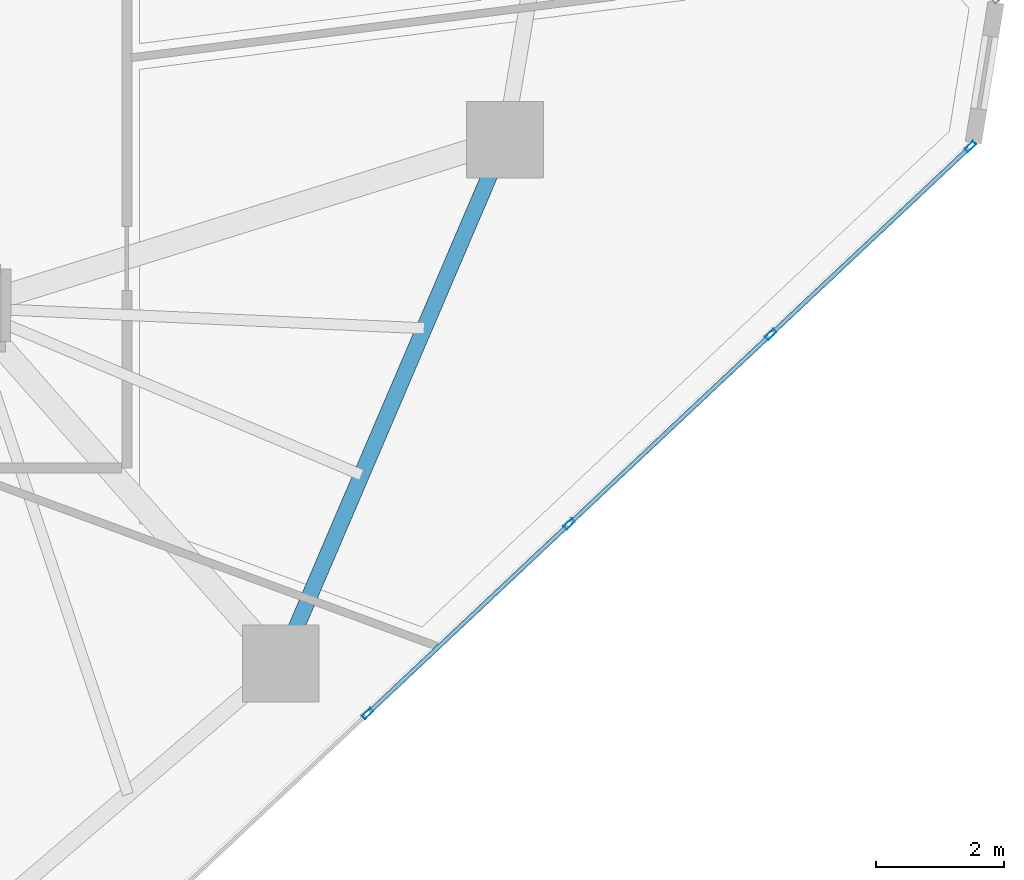
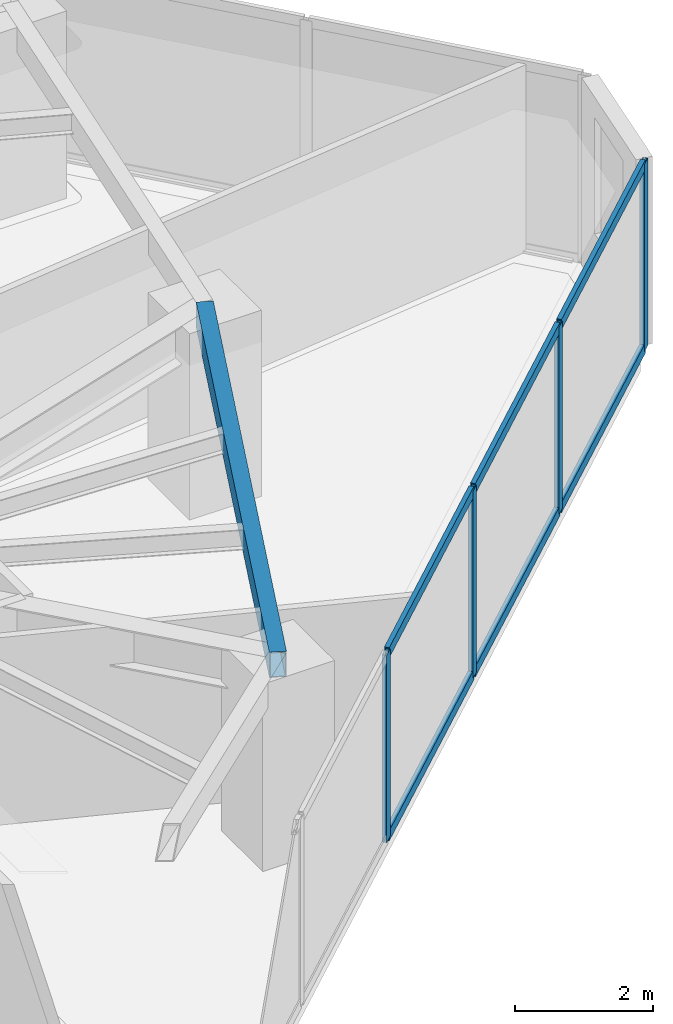
# One storey, part 13 of 22: 10 members, 1 beam, 1 element without a shape of its own.
"""IFC4 building model written with IfcOpenShell, lengths in metres."""

from ifc_helpers import new_model, si_unit, direction, frame, origin, origin_2d, place, context, subcontext, project, spatial, hollow_rectangle, extrude, source, transform, mapped, material, layer, layer_set, material_profile, profile_set, type_object, type_shapes, element, aggregate, save


model = new_model("IFC4")

# Units and contexts
model_context = context("Model", 3, precision=1e-05, world=origin(), true_north=direction((0.0, 1.0)))
body_context = subcontext(model_context, "Body", "Model", "MODEL_VIEW")
ifc_project = project(units=[si_unit("LENGTHUNIT", "METRE"), si_unit("AREAUNIT", "SQUARE_METRE"), si_unit("VOLUMEUNIT", "CUBIC_METRE"), si_unit("PLANEANGLEUNIT", "RADIAN"), si_unit("MASSUNIT", "GRAM", prefix="KILO")], contexts=[model_context])

# Site, building, storey
site_placement = place(None, origin())
site = spatial("IfcSite", under=ifc_project, at=site_placement, CompositionType="ELEMENT")
building_placement = place(site_placement, origin())
building = spatial("IfcBuilding", under=site, at=building_placement, Name="Talar Marvaseh", CompositionType="ELEMENT")
storey_placement = place(building_placement, frame((0.0, 0.0, 89.39990234375)))
storey = spatial("IfcBuildingStorey", under=building, at=storey_placement, Name="L22", CompositionType="ELEMENT", Elevation=89.39990234375)

# Beam
ifc_material_1 = material(Name="Steel S355", Category="steel")
ifc_material_profile_1 = material_profile(ifc_material_1, hollow_rectangle(XDim=0.25, YDim=0.449951171875, WallThickness=0.01611328125, at=origin_2d()), Name="RHS450x250x16")
ifc_profile_set_1 = profile_set([ifc_material_profile_1], Name="Steel S355")
beam_type = type_object("IfcBeamType", Name="Zone 2 Perimeter Spandrel Beam RHS450x250x16", PredefinedType="SPANDREL", material=ifc_profile_set_1)
beam_placement = place(storey_placement, frame((41.708984375, 28.1279296875, 3.085205078125), z_axis=(-0.393369955619, -0.919380268451, 0.0), x_axis=(0.919380268451, -0.393369955619, 0.0)))
element("IfcBeam", 1, at=beam_placement, inside=storey, type_object=beam_type, Name="L22 Zone 2 Perimeter Spandrel Beam RHS450x250x16", PredefinedType="SPANDREL", context=body_context, shape_type="SweptSolid", body=[
    extrude(hollow_rectangle(XDim=0.25, YDim=0.449951171875, WallThickness=0.01611328125, at=origin_2d()), origin(), (0.0, 0.0, 1.0), 8.905029296875),
])

# Curtain wall, members
ifc_material_2 = material(Name="Architectural Aluminium", Category="aluminium")
ifc_layer = layer(ifc_material_2, 0.199951171875)
ifc_layer_set = layer_set([ifc_layer], Name="Architectural Aluminium")
curtain_wall_type = type_object("IfcCurtainWallType", Name="Unitised Acoustic Library Curtain Wall Z2", PredefinedType="NOTDEFINED", material=ifc_layer_set)
curtain_wall_placement = place(storey_placement, origin())
curtain_wall = element("IfcCurtainWall", 2, at=curtain_wall_placement, inside=storey, type_object=curtain_wall_type, Name="L22 Unitised Acoustic Library Curtain Wall Z2", PredefinedType="NOTDEFINED")
ifc_material_profile_2 = material_profile(ifc_material_2, hollow_rectangle(XDim=0.074951171875, YDim=0.179931640625, WallThickness=0.0048828125, at=origin_2d()), Name="RHS180x75x5")
ifc_profile_set_2 = profile_set([ifc_material_profile_2], Name="Architectural Aluminium")
member_type_1 = type_object("IfcMemberType", Name="Unitised Curtain Wall Standard Mullion RHS180x75x5", PredefinedType="MULLION", material=ifc_profile_set_2)
shared_shape_1 = source(origin(), body_context, "Body", "SweptSolid", [
    extrude(hollow_rectangle(XDim=0.074951171875, YDim=0.179931640625, WallThickness=0.0048828125, at=origin_2d()), origin(), (0.0, 0.0, 1.0), 3.31005859375),
])
type_shapes(member_type_1, [shared_shape_1])
member_1_placement = place(storey_placement, frame((48.984130859375, 28.0205078125, 0.0), z_axis=(0.0, 0.0, 1.0), x_axis=(0.685069131718, -0.728478060594, 0.0)))
member_1 = element("IfcMember", 3, at=member_1_placement, type_object=member_type_1, Name="CW-Z2 mullion 1", PredefinedType="MULLION", context=body_context, shape_type="MappedRepresentation", body=[
    mapped(shared_shape_1, transform((0.0, 0.0, 0.0), x_axis=(1.0, 0.0, 0.0), y_axis=(0.0, 1.0, 0.0), z_axis=(0.0, 0.0, 1.0), scale=1.0)),
])
member_2_placement = place(storey_placement, frame((45.86181640625, 25.084228515625, 0.0), z_axis=(0.0, 0.0, 1.0), x_axis=(0.685069131718, -0.728478060594, 0.0)))
member_2 = element("IfcMember", 4, at=member_2_placement, type_object=member_type_1, Name="CW-Z2 mullion 2", PredefinedType="MULLION", context=body_context, shape_type="MappedRepresentation", body=[
    mapped(shared_shape_1, transform((0.0, 0.0, 0.0), x_axis=(1.0, 0.0, 0.0), y_axis=(0.0, 1.0, 0.0), z_axis=(0.0, 0.0, 1.0), scale=1.0)),
])
member_3_placement = place(storey_placement, frame((42.71240234375, 22.122314453125, 0.0), z_axis=(0.0, 0.0, 1.0), x_axis=(0.685069131718, -0.728478060594, 0.0)))
member_3 = element("IfcMember", 5, at=member_3_placement, type_object=member_type_1, Name="CW-Z2 mullion 3", PredefinedType="MULLION", context=body_context, shape_type="MappedRepresentation", body=[
    mapped(shared_shape_1, transform((0.0, 0.0, 0.0), x_axis=(1.0, 0.0, 0.0), y_axis=(0.0, 1.0, 0.0), z_axis=(0.0, 0.0, 1.0), scale=1.0)),
])
member_4_placement = place(storey_placement, frame((39.562744140625, 19.160400390625, 0.0), z_axis=(0.0, 0.0, 1.0), x_axis=(0.685069131718, -0.728478060594, 0.0)))
member_4 = element("IfcMember", 6, at=member_4_placement, type_object=member_type_1, Name="CW-Z2 mullion 4", PredefinedType="MULLION", context=body_context, shape_type="MappedRepresentation", body=[
    mapped(shared_shape_1, transform((0.0, 0.0, 0.0), x_axis=(1.0, 0.0, 0.0), y_axis=(0.0, 1.0, 0.0), z_axis=(0.0, 0.0, 1.0), scale=1.0)),
])
ifc_material_profile_3 = material_profile(ifc_material_2, hollow_rectangle(XDim=0.074951171875, YDim=0.179931640625, WallThickness=0.0048828125, at=origin_2d()), Name="RHS180x75x5")
ifc_profile_set_3 = profile_set([ifc_material_profile_3], Name="Architectural Aluminium")
member_type_2 = type_object("IfcMemberType", Name="Unitised Curtain Wall Transom RHS180x75x5", PredefinedType="USERDEFINED", material=ifc_profile_set_3)
shared_shape_2 = source(origin(), body_context, "Body", "SweptSolid", [
    extrude(hollow_rectangle(XDim=0.074951171875, YDim=0.179931640625, WallThickness=0.0048828125, at=origin_2d()), origin(), (0.0, 0.0, 1.0), 4.211181640625),
])
member_5_placement = place(storey_placement, frame((48.956787109375, 27.994873046875, 0.03759765625), z_axis=(-0.728456946643, -0.685091582847, 0.0), x_axis=(0.685091582847, -0.728456946643, 0.0)))
member_5 = element("IfcMember", 7, at=member_5_placement, type_object=member_type_2, Name="CW-Z2 transom 1.1", ObjectType="TRANSOM", PredefinedType="USERDEFINED", context=body_context, shape_type="MappedRepresentation", body=[
    mapped(shared_shape_2, transform((0.0, 0.0, 0.0), x_axis=(1.0, 0.0, 0.0), y_axis=(0.0, 1.0, 0.0), z_axis=(0.0, 0.0, 1.0), scale=1.0)),
])
member_6_placement = place(storey_placement, frame((48.956787109375, 27.994873046875, 3.272705078125), z_axis=(-0.728456946643, -0.685091582847, 0.0), x_axis=(0.685091582847, -0.728456946643, 0.0)))
member_6 = element("IfcMember", 8, at=member_6_placement, type_object=member_type_2, Name="CW-Z2 transom 1.2", ObjectType="TRANSOM", PredefinedType="USERDEFINED", context=body_context, shape_type="MappedRepresentation", body=[
    mapped(shared_shape_2, transform((0.0, 0.0, 0.0), x_axis=(1.0, 0.0, 0.0), y_axis=(0.0, 1.0, 0.0), z_axis=(0.0, 0.0, 1.0), scale=1.0)),
])
shared_shape_3 = source(origin(), body_context, "Body", "SweptSolid", [
    extrude(hollow_rectangle(XDim=0.074951171875, YDim=0.179931640625, WallThickness=0.0048828125, at=origin_2d()), origin(), (0.0, 0.0, 1.0), 4.24853515625),
])
type_shapes(member_type_2, [shared_shape_2, shared_shape_3])
member_7_placement = place(storey_placement, frame((45.83447265625, 25.05859375, 0.03759765625), z_axis=(-0.728466484532, -0.685081441081, 0.0), x_axis=(0.685081441081, -0.728466484532, 0.0)))
member_7 = element("IfcMember", 9, at=member_7_placement, type_object=member_type_2, Name="CW-Z2 transom 2.1", ObjectType="TRANSOM", PredefinedType="USERDEFINED", context=body_context, shape_type="MappedRepresentation", body=[
    mapped(shared_shape_3, transform((0.0, 0.0, 0.0), x_axis=(1.0, 0.0, 0.0), y_axis=(0.0, 1.0, 0.0), z_axis=(0.0, 0.0, 1.0), scale=1.0)),
])
member_8_placement = place(storey_placement, frame((45.83447265625, 25.05859375, 3.272705078125), z_axis=(-0.728466484532, -0.685081441081, 0.0), x_axis=(0.685081441081, -0.728466484532, 0.0)))
member_8 = element("IfcMember", 10, at=member_8_placement, type_object=member_type_2, Name="CW-Z2 transom 2.2", ObjectType="TRANSOM", PredefinedType="USERDEFINED", context=body_context, shape_type="MappedRepresentation", body=[
    mapped(shared_shape_3, transform((0.0, 0.0, 0.0), x_axis=(1.0, 0.0, 0.0), y_axis=(0.0, 1.0, 0.0), z_axis=(0.0, 0.0, 1.0), scale=1.0)),
])
member_9_placement = place(storey_placement, frame((42.68505859375, 22.0966796875, 0.03759765625), z_axis=(-0.728466484532, -0.685081441081, 0.0), x_axis=(0.685081441081, -0.728466484532, 0.0)))
member_9 = element("IfcMember", 11, at=member_9_placement, type_object=member_type_2, Name="CW-Z2 transom 3.1", ObjectType="TRANSOM", PredefinedType="USERDEFINED", context=body_context, shape_type="MappedRepresentation", body=[
    mapped(shared_shape_3, transform((0.0, 0.0, 0.0), x_axis=(1.0, 0.0, 0.0), y_axis=(0.0, 1.0, 0.0), z_axis=(0.0, 0.0, 1.0), scale=1.0)),
])
member_10_placement = place(storey_placement, frame((42.68505859375, 22.0966796875, 3.272705078125), z_axis=(-0.728466484532, -0.685081441081, 0.0), x_axis=(0.685081441081, -0.728466484532, 0.0)))
member_10 = element("IfcMember", 12, at=member_10_placement, type_object=member_type_2, Name="CW-Z2 transom 3.2", ObjectType="TRANSOM", PredefinedType="USERDEFINED", context=body_context, shape_type="MappedRepresentation", body=[
    mapped(shared_shape_3, transform((0.0, 0.0, 0.0), x_axis=(1.0, 0.0, 0.0), y_axis=(0.0, 1.0, 0.0), z_axis=(0.0, 0.0, 1.0), scale=1.0)),
])
aggregate(curtain_wall, [member_1, member_2, member_3, member_4, member_5, member_6, member_7, member_8, member_9, member_10])

save(model, "model.ifc")
